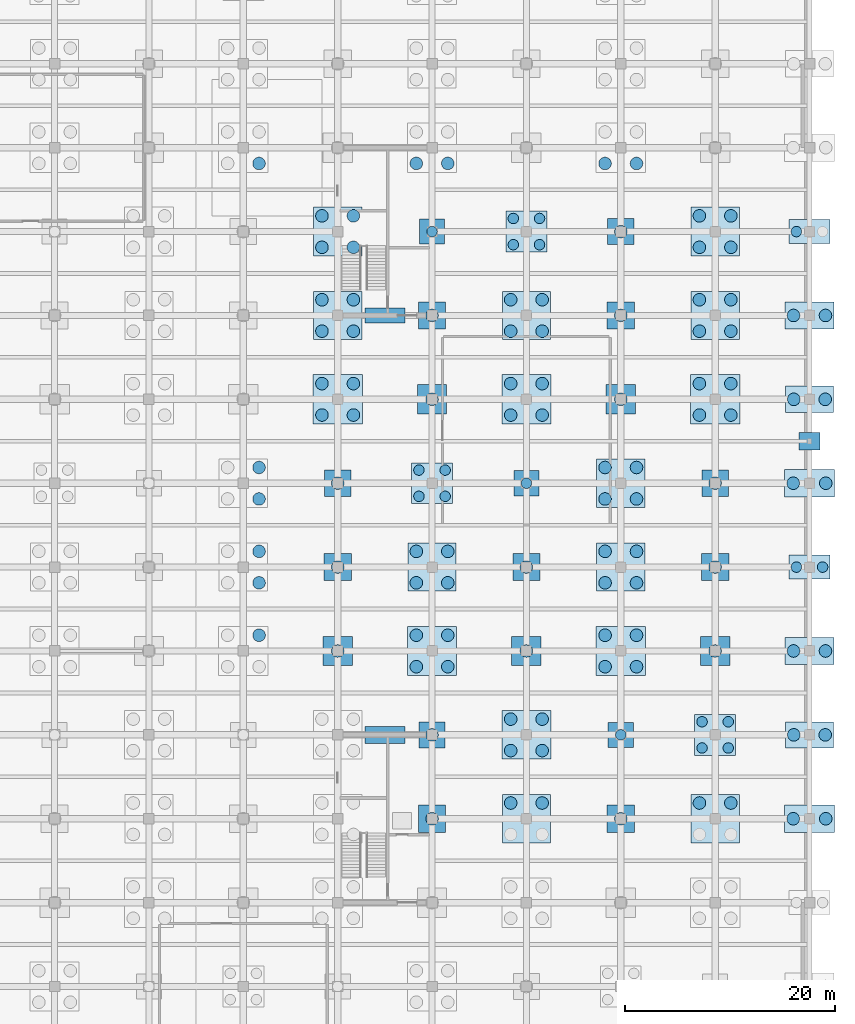
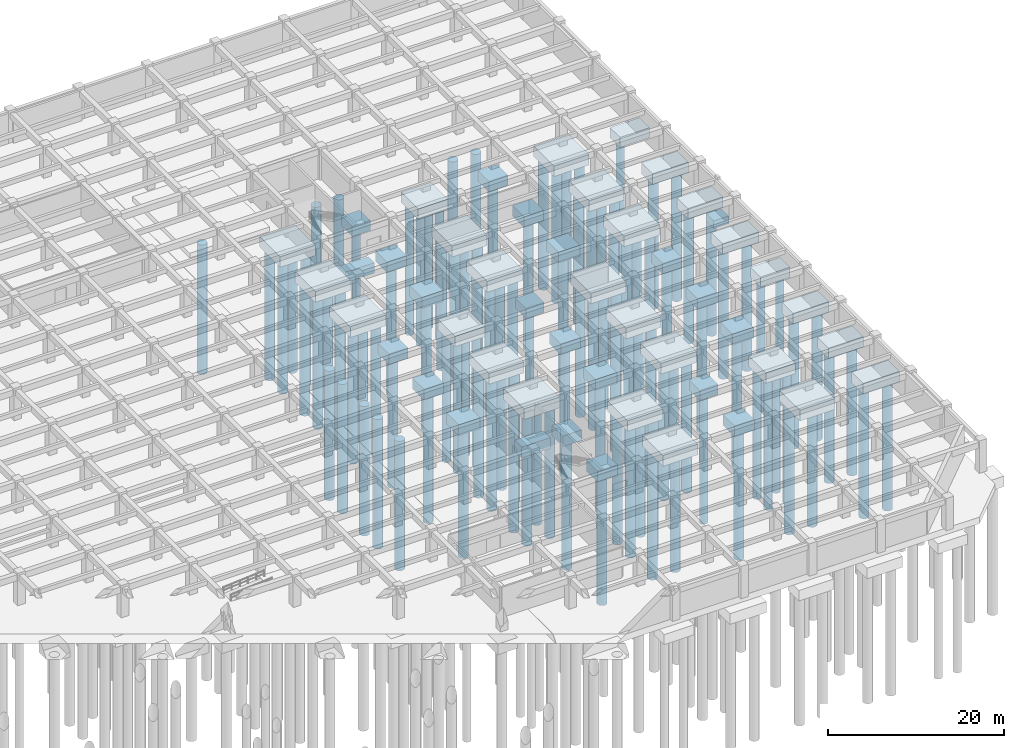
# One storey, part 7 of 31: 116 piles, 49 footings.
"""IFC4 building model written with IfcOpenShell, lengths in metres."""

from ifc_helpers import new_model, si_unit, direction, frame, origin, origin_2d, place, context, subcontext, project, spatial, polyline, rectangle, circle, outline, extrude, material, layer, layer_set, material_profile, profile_set, type_object, element, save


model = new_model("IFC4")

# Units and contexts
model_context = context("Model", 3, precision=1e-05, world=origin(), true_north=direction((0.0, 1.0)))
body_context = subcontext(model_context, "Body", "Model", "MODEL_VIEW")
ifc_project = project(units=[si_unit("LENGTHUNIT", "METRE"), si_unit("AREAUNIT", "SQUARE_METRE"), si_unit("VOLUMEUNIT", "CUBIC_METRE"), si_unit("PLANEANGLEUNIT", "RADIAN"), si_unit("MASSUNIT", "GRAM", prefix="KILO")], contexts=[model_context])

# Site, building, storey
site_placement = place(None, origin())
site = spatial("IfcSite", under=ifc_project, at=site_placement, CompositionType="ELEMENT")
building_placement = place(site_placement, origin())
building = spatial("IfcBuilding", under=site, at=building_placement, Name="Zaverband Oceanarium and Marine Research Institute", CompositionType="ELEMENT")
storey_placement = place(building_placement, frame((0.0, 0.0, -9.0)))
storey = spatial("IfcBuildingStorey", under=building, at=storey_placement, Name="B2", CompositionType="ELEMENT", Elevation=-9.0)

# Footings
ifc_material_1 = material(Name="Concrete C50/60", Category="concrete")
ifc_layer_1 = layer(ifc_material_1, 1.39990234375, Name="Concrete C50/60")
ifc_layer_set_1 = layer_set([ifc_layer_1], Name="Concrete C50/60")
footing_type_1 = type_object("IfcFootingType", Name="PC-2400x2400x1400", PredefinedType="PILE_CAP", material=ifc_layer_set_1)
for number, where, z_axis, x_axis, name in (
    (1, (144.0, 88.0, -2.300048828125), (0.0, 0.0, 1.0), (1.0, 0.0, 0.0), "Reinforced concrete pile cap PC-2400x2400x1400"),
    (2, (153.0, 64.0, -2.300048828125), (0.0, 0.0, 1.0), (1.0, 0.0, 0.0), "Reinforced concrete pile cap PC-2400x2400x1400"),
    (3, (162.0, 40.0, -2.300048828125), (0.0, 0.0, 1.0), (1.0, 0.0, 0.0), "Reinforced concrete pile cap PC-2400x2400x1400"),
):
    element("IfcFooting", number, at=place(storey_placement, frame(where, z_axis=z_axis, x_axis=x_axis)), inside=storey, type_object=footing_type_1, Name=name, PredefinedType="PILE_CAP", context=body_context, shape_type="SweptSolid", body=[
        extrude(rectangle(XDim=2.39990234375, YDim=2.39990234375, at=origin_2d()), origin(), (0.0, 0.0, 1.0), 1.39990234375),
    ])
ifc_layer_2 = layer(ifc_material_1, 1.449951171875, Name="Concrete C50/60")
ifc_layer_set_2 = layer_set([ifc_layer_2], Name="Concrete C50/60")
footing_type_2 = type_object("IfcFootingType", Name="PC-2500x2500x1450", PredefinedType="PILE_CAP", material=ifc_layer_set_2)
for number, where, z_axis, x_axis, name in (
    (4, (135.0, 64.0, -2.35009765625), (0.0, 0.0, 1.0), (1.0, 0.0, 0.0), "Reinforced concrete pile cap PC-2500x2500x1450"),
    (5, (144.0, 40.0, -2.35009765625), (0.0, 0.0, 1.0), (1.0, 0.0, 0.0), "Reinforced concrete pile cap PC-2500x2500x1450"),
    (6, (162.0, 88.0, -2.35009765625), (0.0, 0.0, 1.0), (1.0, 0.0, 0.0), "Reinforced concrete pile cap PC-2500x2500x1450"),
    (7, (171.0, 64.0, -2.35009765625), (0.0, 0.0, 1.0), (1.0, 0.0, 0.0), "Reinforced concrete pile cap PC-2500x2500x1450"),
):
    element("IfcFooting", number, at=place(storey_placement, frame(where, z_axis=z_axis, x_axis=x_axis)), inside=storey, type_object=footing_type_2, Name=name, PredefinedType="PILE_CAP", context=body_context, shape_type="SweptSolid", body=[
        extrude(rectangle(XDim=2.5, YDim=2.5, at=origin_2d()), origin(), (0.0, 0.0, 1.0), 1.449951171875),
    ])
ifc_layer_3 = layer(ifc_material_1, 1.5, Name="Concrete C50/60")
ifc_layer_set_3 = layer_set([ifc_layer_3], Name="Concrete C50/60")
footing_type_3 = type_object("IfcFootingType", Name="PC-2600x2600x1500", PredefinedType="PILE_CAP", material=ifc_layer_set_3)
for number, where, z_axis, x_axis, name in (
    (8, (135.0, 56.0, -2.39990234375), (0.0, 0.0, 1.0), (1.0, 0.0, 0.0), "Reinforced concrete pile cap PC-2600x2600x1500"),
    (9, (144.0, 32.0, -2.39990234375), (0.0, 0.0, 1.0), (1.0, 0.0, 0.0), "Reinforced concrete pile cap PC-2600x2600x1500"),
    (10, (144.0, 80.0, -2.39990234375), (0.0, 0.0, 1.0), (1.0, 0.0, 0.0), "Reinforced concrete pile cap PC-2600x2600x1500"),
    (11, (153.0, 56.0, -2.39990234375), (0.0, 0.0, 1.0), (1.0, 0.0, 0.0), "Reinforced concrete pile cap PC-2600x2600x1500"),
    (12, (162.0, 32.0, -2.39990234375), (0.0, 0.0, 1.0), (1.0, 0.0, 0.0), "Reinforced concrete pile cap PC-2600x2600x1500"),
    (13, (162.0, 80.0, -2.39990234375), (0.0, 0.0, 1.0), (1.0, 0.0, 0.0), "Reinforced concrete pile cap PC-2600x2600x1500"),
    (14, (171.0, 56.0, -2.39990234375), (0.0, 0.0, 1.0), (1.0, 0.0, 0.0), "Reinforced concrete pile cap PC-2600x2600x1500"),
):
    element("IfcFooting", number, at=place(storey_placement, frame(where, z_axis=z_axis, x_axis=x_axis)), inside=storey, type_object=footing_type_3, Name=name, PredefinedType="PILE_CAP", context=body_context, shape_type="SweptSolid", body=[
        extrude(rectangle(XDim=2.60009765625, YDim=2.60009765625, at=origin_2d()), origin(), (0.0, 0.0, 1.0), 1.5),
    ])
ifc_layer_4 = layer(ifc_material_1, 1.5, Name="Concrete C50/60")
ifc_layer_set_4 = layer_set([ifc_layer_4], Name="Concrete C50/60")
footing_type_4 = type_object("IfcFootingType", Name="PC-2800x2800x1500", PredefinedType="PILE_CAP", material=ifc_layer_set_4)
for number, where, z_axis, x_axis, name in (
    (15, (135.0, 48.0, -2.39990234375), (0.0, 0.0, 1.0), (1.0, 0.0, 0.0), "Reinforced concrete pile cap PC-2800x2800x1500"),
    (16, (144.0, 72.0, -2.39990234375), (0.0, 0.0, 1.0), (1.0, 0.0, 0.0), "Reinforced concrete pile cap PC-2800x2800x1500"),
    (17, (153.0, 48.0, -2.39990234375), (0.0, 0.0, 1.0), (1.0, 0.0, 0.0), "Reinforced concrete pile cap PC-2800x2800x1500"),
    (18, (162.0, 72.0, -2.39990234375), (0.0, 0.0, 1.0), (1.0, 0.0, 0.0), "Reinforced concrete pile cap PC-2800x2800x1500"),
    (19, (171.0, 48.0, -2.39990234375), (0.0, 0.0, 1.0), (1.0, 0.0, 0.0), "Reinforced concrete pile cap PC-2800x2800x1500"),
):
    element("IfcFooting", number, at=place(storey_placement, frame(where, z_axis=z_axis, x_axis=x_axis)), inside=storey, type_object=footing_type_4, Name=name, PredefinedType="PILE_CAP", context=body_context, shape_type="SweptSolid", body=[
        extrude(rectangle(XDim=2.800048828125, YDim=2.800048828125, at=origin_2d()), origin(), (0.0, 0.0, 1.0), 1.5),
    ])
ifc_layer_5 = layer(ifc_material_1, 1.39990234375, Name="Concrete C50/60")
ifc_layer_set_5 = layer_set([ifc_layer_5], Name="Concrete C50/60")
footing_type_5 = type_object("IfcFootingType", Name="PC-3900x2300x1400", PredefinedType="PILE_CAP", material=ifc_layer_set_5)
for number, where, z_axis, x_axis, name in (
    (20, (180.0, 56.0, -2.300048828125), (0.0, 0.0, 1.0), (1.0, 0.0, 0.0), "Reinforced concrete pile cap PC-3900x2300x1400"),
    (21, (180.0, 88.0, -2.300048828125), (0.0, 0.0, 1.0), (1.0, 0.0, 0.0), "Reinforced concrete pile cap PC-3900x2300x1400"),
):
    element("IfcFooting", number, at=place(storey_placement, frame(where, z_axis=z_axis, x_axis=x_axis)), inside=storey, type_object=footing_type_5, Name=name, PredefinedType="PILE_CAP", context=body_context, shape_type="SweptSolid", body=[
        extrude(rectangle(XDim=3.89990234375, YDim=2.300048828125, at=origin_2d()), origin(), (0.0, 0.0, 1.0), 1.39990234375),
    ])
ifc_layer_6 = layer(ifc_material_1, 1.449951171875, Name="Concrete C50/60")
ifc_layer_set_6 = layer_set([ifc_layer_6], Name="Concrete C50/60")
footing_type_6 = type_object("IfcFootingType", Name="PC-3900x3900x1450", PredefinedType="PILE_CAP", material=ifc_layer_set_6)
for number, where, z_axis, x_axis, name in (
    (22, (144.0, 64.0, -2.35009765625), (0.0, 0.0, 1.0), (1.0, 0.0, 0.0), "Reinforced concrete pile cap PC-3900x3900x1450"),
    (23, (153.0, 88.0, -2.35009765625), (0.0, 0.0, 1.0), (1.0, 0.0, 0.0), "Reinforced concrete pile cap PC-3900x3900x1450"),
    (24, (171.0, 40.0, -2.35009765625), (0.0, 0.0, 1.0), (1.0, 0.0, 0.0), "Reinforced concrete pile cap PC-3900x3900x1450"),
):
    element("IfcFooting", number, at=place(storey_placement, frame(where, z_axis=z_axis, x_axis=x_axis)), inside=storey, type_object=footing_type_6, Name=name, PredefinedType="PILE_CAP", context=body_context, shape_type="SweptSolid", body=[
        extrude(rectangle(XDim=3.89990234375, YDim=3.89990234375, at=origin_2d()), origin(), (0.0, 0.0, 1.0), 1.449951171875),
    ])
ifc_layer_7 = layer(ifc_material_1, 1.449951171875, Name="Concrete C50/60")
ifc_layer_set_7 = layer_set([ifc_layer_7], Name="Concrete C50/60")
footing_type_7 = type_object("IfcFootingType", Name="PC-4600x2500x1450", PredefinedType="PILE_CAP", material=ifc_layer_set_7)
for number, where, z_axis, x_axis, name in (
    (25, (180.0, 40.0, -2.35009765625), (0.0, 0.0, 1.0), (1.0, 0.0, 0.0), "Reinforced concrete pile cap PC-4600x2500x1450"),
    (26, (180.0, 72.0, -2.35009765625), (0.0, 0.0, 1.0), (1.0, 0.0, 0.0), "Reinforced concrete pile cap PC-4600x2500x1450"),
):
    element("IfcFooting", number, at=place(storey_placement, frame(where, z_axis=z_axis, x_axis=x_axis)), inside=storey, type_object=footing_type_7, Name=name, PredefinedType="PILE_CAP", context=body_context, shape_type="SweptSolid", body=[
        extrude(rectangle(XDim=4.60009765625, YDim=2.5, at=origin_2d()), origin(), (0.0, 0.0, 1.0), 1.449951171875),
    ])
ifc_layer_8 = layer(ifc_material_1, 1.5, Name="Concrete C50/60")
ifc_layer_set_8 = layer_set([ifc_layer_8], Name="Concrete C50/60")
footing_type_8 = type_object("IfcFootingType", Name="PC-4600x4600x1500", PredefinedType="PILE_CAP", material=ifc_layer_set_8)
for number, where, z_axis, x_axis, name in (
    (27, (135.0, 80.0, -2.39990234375), (0.0, 0.0, 1.0), (1.0, 0.0, 0.0), "Reinforced concrete pile cap PC-4600x4600x1500"),
    (28, (144.0, 56.0, -2.39990234375), (0.0, 0.0, 1.0), (1.0, 0.0, 0.0), "Reinforced concrete pile cap PC-4600x4600x1500"),
    (29, (153.0, 32.0, -2.39990234375), (0.0, 0.0, 1.0), (1.0, 0.0, 0.0), "Reinforced concrete pile cap PC-4600x4600x1500"),
    (30, (153.0, 80.0, -2.39990234375), (0.0, 0.0, 1.0), (1.0, 0.0, 0.0), "Reinforced concrete pile cap PC-4600x4600x1500"),
    (31, (162.0, 56.0, -2.39990234375), (0.0, 0.0, 1.0), (1.0, 0.0, 0.0), "Reinforced concrete pile cap PC-4600x4600x1500"),
    (32, (171.0, 32.0, -2.39990234375), (0.0, 0.0, 1.0), (1.0, 0.0, 0.0), "Reinforced concrete pile cap PC-4600x4600x1500"),
    (33, (171.0, 80.0, -2.39990234375), (0.0, 0.0, 1.0), (1.0, 0.0, 0.0), "Reinforced concrete pile cap PC-4600x4600x1500"),
):
    element("IfcFooting", number, at=place(storey_placement, frame(where, z_axis=z_axis, x_axis=x_axis)), inside=storey, type_object=footing_type_8, Name=name, PredefinedType="PILE_CAP", context=body_context, shape_type="SweptSolid", body=[
        extrude(rectangle(XDim=4.60009765625, YDim=4.60009765625, at=origin_2d()), origin(), (0.0, 0.0, 1.0), 1.5),
    ])
ifc_layer_9 = layer(ifc_material_1, 1.449951171875, Name="Concrete C50/60")
ifc_layer_set_9 = layer_set([ifc_layer_9], Name="Concrete C50/60")
footing_type_9 = type_object("IfcFootingType", Name="PC-4650x4650x1450", PredefinedType="PILE_CAP", material=ifc_layer_set_9)
for number, where, z_axis, x_axis, name in (
    (34, (135.0, 88.0, -2.35009765625), (0.0, 0.0, 1.0), (1.0, 0.0, 0.0), "Reinforced concrete pile cap PC-4650x4650x1450"),
    (35, (153.0, 40.0, -2.35009765625), (0.0, 0.0, 1.0), (1.0, 0.0, 0.0), "Reinforced concrete pile cap PC-4650x4650x1450"),
    (36, (162.0, 64.0, -2.35009765625), (0.0, 0.0, 1.0), (1.0, 0.0, 0.0), "Reinforced concrete pile cap PC-4650x4650x1450"),
    (37, (171.0, 88.0, -2.35009765625), (0.0, 0.0, 1.0), (1.0, 0.0, 0.0), "Reinforced concrete pile cap PC-4650x4650x1450"),
):
    element("IfcFooting", number, at=place(storey_placement, frame(where, z_axis=z_axis, x_axis=x_axis)), inside=storey, type_object=footing_type_9, Name=name, PredefinedType="PILE_CAP", context=body_context, shape_type="SweptSolid", body=[
        extrude(rectangle(XDim=4.64990234375, YDim=4.64990234375, at=origin_2d()), origin(), (0.0, 0.0, 1.0), 1.449951171875),
    ])
ifc_layer_10 = layer(ifc_material_1, 1.5, Name="Concrete C50/60")
ifc_layer_set_10 = layer_set([ifc_layer_10], Name="Concrete C50/60")
footing_type_10 = type_object("IfcFootingType", Name="PC-4700x2550x1500", PredefinedType="PILE_CAP", material=ifc_layer_set_10)
for number, where, z_axis, x_axis, name in (
    (38, (180.0, 48.0, -2.39990234375), (0.0, 0.0, 1.0), (1.0, 0.0, 0.0), "Reinforced concrete pile cap PC-4700x2550x1500"),
    (39, (180.0, 80.0, -2.39990234375), (0.0, 0.0, 1.0), (1.0, 0.0, 0.0), "Reinforced concrete pile cap PC-4700x2550x1500"),
):
    element("IfcFooting", number, at=place(storey_placement, frame(where, z_axis=z_axis, x_axis=x_axis)), inside=storey, type_object=footing_type_10, Name=name, PredefinedType="PILE_CAP", context=body_context, shape_type="SweptSolid", body=[
        extrude(rectangle(XDim=4.699951171875, YDim=2.550048828125, at=origin_2d()), origin(), (0.0, 0.0, 1.0), 1.5),
    ])
ifc_layer_11 = layer(ifc_material_1, 1.5, Name="Concrete C50/60")
ifc_layer_set_11 = layer_set([ifc_layer_11], Name="Concrete C50/60")
footing_type_11 = type_object("IfcFootingType", Name="PC-4700x4700x1500", PredefinedType="PILE_CAP", material=ifc_layer_set_11)
for number, where, z_axis, x_axis, name in (
    (40, (135.0, 72.0, -2.39990234375), (0.0, 0.0, 1.0), (1.0, 0.0, 0.0), "Reinforced concrete pile cap PC-4700x4700x1500"),
    (41, (144.0, 48.0, -2.39990234375), (0.0, 0.0, 1.0), (1.0, 0.0, 0.0), "Reinforced concrete pile cap PC-4700x4700x1500"),
    (42, (153.0, 72.0, -2.39990234375), (0.0, 0.0, 1.0), (1.0, 0.0, 0.0), "Reinforced concrete pile cap PC-4700x4700x1500"),
    (43, (162.0, 48.0, -2.39990234375), (0.0, 0.0, 1.0), (1.0, 0.0, 0.0), "Reinforced concrete pile cap PC-4700x4700x1500"),
    (44, (171.0, 72.0, -2.39990234375), (0.0, 0.0, 1.0), (1.0, 0.0, 0.0), "Reinforced concrete pile cap PC-4700x4700x1500"),
):
    element("IfcFooting", number, at=place(storey_placement, frame(where, z_axis=z_axis, x_axis=x_axis)), inside=storey, type_object=footing_type_11, Name=name, PredefinedType="PILE_CAP", context=body_context, shape_type="SweptSolid", body=[
        extrude(rectangle(XDim=4.699951171875, YDim=4.699951171875, at=origin_2d()), origin(), (0.0, 0.0, 1.0), 1.5),
    ])
ifc_layer_12 = layer(ifc_material_1, 1.5, Name="Concrete C50/60")
ifc_layer_set_12 = layer_set([ifc_layer_12], Name="Concrete C50/60")
footing_type_12 = type_object("IfcFootingType", Name="PC-4800x2600x1500", PredefinedType="PILE_CAP", material=ifc_layer_set_12)
for number, where, z_axis, x_axis, name in (
    (45, (180.0, 32.0, -2.39990234375), (0.0, 0.0, 1.0), (1.0, 0.0, 0.0), "Reinforced concrete pile cap PC-4800x2600x1500"),
    (46, (180.0, 64.0, -2.39990234375), (0.0, 0.0, 1.0), (1.0, 0.0, 0.0), "Reinforced concrete pile cap PC-4800x2600x1500"),
):
    element("IfcFooting", number, at=place(storey_placement, frame(where, z_axis=z_axis, x_axis=x_axis)), inside=storey, type_object=footing_type_12, Name=name, PredefinedType="PILE_CAP", context=body_context, shape_type="SweptSolid", body=[
        extrude(rectangle(XDim=4.800048828125, YDim=2.60009765625, at=origin_2d()), origin(), (0.0, 0.0, 1.0), 1.5),
    ])
ifc_material_2 = material(Name="Concrete C40/50", Category="concrete")
ifc_layer_13 = layer(ifc_material_2, 1.050048828125, Name="Concrete C40/50")
ifc_layer_set_13 = layer_set([ifc_layer_13], Name="Concrete C40/50")
footing_type_13 = type_object("IfcFootingType", Name="PF-2000x1700x1050", PredefinedType="PAD_FOOTING", material=ifc_layer_set_13)
footing_1_placement = place(storey_placement, frame((180.0, 68.0, -1.9501953125), z_axis=(0.0, 0.0, 1.0), x_axis=(1.0, 0.0, 0.0)))
element("IfcFooting", 47, at=footing_1_placement, inside=storey, type_object=footing_type_13, Name="Isolated pad footing PF-2000x1700x1050", PredefinedType="PAD_FOOTING", context=body_context, shape_type="SweptSolid", body=[
    extrude(rectangle(XDim=2.0, YDim=1.699951171875, at=origin_2d()), origin(), (0.0, 0.0, 1.0), 1.050048828125),
])

# Piles
ifc_material_profile_1 = material_profile(ifc_material_1, circle(Radius=0.5, at=origin_2d()), Name="BP1000")
ifc_profile_set_1 = profile_set([ifc_material_profile_1], Name="Concrete C50/60")
pile_type_1 = type_object("IfcPileType", Name="PL-BP1000", PredefinedType="BORED", material=ifc_profile_set_1)
for number, where, z_axis, x_axis, name in (
    (48, (142.75, 62.75, -2.35009765625), (0.0, 0.0, -1.0), (1.0, 0.0, 0.0), "Rotary bored cast-in-place pile PL-BP1000"),
    (49, (145.25, 62.75, -2.35009765625), (0.0, 0.0, -1.0), (1.0, 0.0, 0.0), "Rotary bored cast-in-place pile PL-BP1000"),
    (50, (142.75, 65.25, -2.35009765625), (0.0, 0.0, -1.0), (1.0, 0.0, 0.0), "Rotary bored cast-in-place pile PL-BP1000"),
    (51, (145.25, 65.25, -2.35009765625), (0.0, 0.0, -1.0), (1.0, 0.0, 0.0), "Rotary bored cast-in-place pile PL-BP1000"),
    (52, (144.0, 88.0, -2.300048828125), (0.0, 0.0, -1.0), (1.0, 0.0, 0.0), "Rotary bored cast-in-place pile PL-BP1000"),
    (53, (153.0, 64.0, -2.300048828125), (0.0, 0.0, -1.0), (1.0, 0.0, 0.0), "Rotary bored cast-in-place pile PL-BP1000"),
    (54, (151.75, 86.75, -2.35009765625), (0.0, 0.0, -1.0), (1.0, 0.0, 0.0), "Rotary bored cast-in-place pile PL-BP1000"),
    (55, (154.25, 86.75, -2.35009765625), (0.0, 0.0, -1.0), (1.0, 0.0, 0.0), "Rotary bored cast-in-place pile PL-BP1000"),
    (56, (151.75, 89.25, -2.35009765625), (0.0, 0.0, -1.0), (1.0, 0.0, 0.0), "Rotary bored cast-in-place pile PL-BP1000"),
    (57, (154.25, 89.25, -2.35009765625), (0.0, 0.0, -1.0), (1.0, 0.0, 0.0), "Rotary bored cast-in-place pile PL-BP1000"),
    (58, (162.0, 40.0, -2.300048828125), (0.0, 0.0, -1.0), (1.0, 0.0, 0.0), "Rotary bored cast-in-place pile PL-BP1000"),
    (59, (169.75, 38.75, -2.35009765625), (0.0, 0.0, -1.0), (1.0, 0.0, 0.0), "Rotary bored cast-in-place pile PL-BP1000"),
    (60, (172.25, 38.75, -2.35009765625), (0.0, 0.0, -1.0), (1.0, 0.0, 0.0), "Rotary bored cast-in-place pile PL-BP1000"),
    (61, (169.75, 41.25, -2.35009765625), (0.0, 0.0, -1.0), (1.0, 0.0, 0.0), "Rotary bored cast-in-place pile PL-BP1000"),
    (62, (172.25, 41.25, -2.35009765625), (0.0, 0.0, -1.0), (1.0, 0.0, 0.0), "Rotary bored cast-in-place pile PL-BP1000"),
    (63, (178.75, 56.0, -2.300048828125), (0.0, 0.0, -1.0), (1.0, 0.0, 0.0), "Rotary bored cast-in-place pile PL-BP1000"),
    (64, (181.25, 56.0, -2.300048828125), (0.0, 0.0, -1.0), (1.0, 0.0, 0.0), "Rotary bored cast-in-place pile PL-BP1000"),
    (65, (178.75, 88.0, -2.300048828125), (0.0, 0.0, -1.0), (1.0, 0.0, 0.0), "Rotary bored cast-in-place pile PL-BP1000"),
):
    element("IfcPile", number, at=place(storey_placement, frame(where, z_axis=z_axis, x_axis=x_axis)), inside=storey, type_object=pile_type_1, Name=name, PredefinedType="BORED", context=body_context, shape_type="SweptSolid", body=[
        extrude(circle(Radius=0.5, at=origin_2d()), origin(), (0.0, 0.0, 1.0), 18.0),
    ])
ifc_material_profile_2 = material_profile(ifc_material_1, circle(Radius=0.60009765625, at=origin_2d()), Name="BP1200")
ifc_profile_set_2 = profile_set([ifc_material_profile_2], Name="Concrete C50/60")
pile_type_2 = type_object("IfcPileType", Name="PL-BP1200", PredefinedType="BORED", material=ifc_profile_set_2)
for number, where, z_axis, x_axis, name in (
    (66, (127.5, 49.5, -2.39990234375), (0.0, 0.0, -1.0), (1.0, 0.0, 0.0), "Rotary bored cast-in-place pile PL-BP1200"),
    (67, (127.5, 54.5, -2.39990234375), (0.0, 0.0, -1.0), (1.0, 0.0, 0.0), "Rotary bored cast-in-place pile PL-BP1200"),
    (68, (127.5, 57.5, -2.39990234375), (0.0, 0.0, -1.0), (1.0, 0.0, 0.0), "Rotary bored cast-in-place pile PL-BP1200"),
    (69, (127.5, 62.5, -2.35009765625), (0.0, 0.0, -1.0), (1.0, 0.0, 0.0), "Rotary bored cast-in-place pile PL-BP1200"),
    (70, (127.5, 65.5, -2.35009765625), (0.0, 0.0, -1.0), (1.0, 0.0, 0.0), "Rotary bored cast-in-place pile PL-BP1200"),
    (71, (127.5, 94.5, -2.39990234375), (0.0, 0.0, -1.0), (1.0, 0.0, 0.0), "Rotary bored cast-in-place pile PL-BP1200"),
    (72, (135.0, 48.0, -2.39990234375), (0.0, 0.0, -1.0), (1.0, 0.0, 0.0), "Rotary bored cast-in-place pile PL-BP1200"),
    (73, (135.0, 56.0, -2.39990234375), (0.0, 0.0, -1.0), (1.0, 0.0, 0.0), "Rotary bored cast-in-place pile PL-BP1200"),
    (74, (135.0, 64.0, -2.35009765625), (0.0, 0.0, -1.0), (1.0, 0.0, 0.0), "Rotary bored cast-in-place pile PL-BP1200"),
    (75, (133.5, 70.5, -2.39990234375), (0.0, 0.0, -1.0), (1.0, 0.0, 0.0), "Rotary bored cast-in-place pile PL-BP1200"),
    (76, (136.5, 70.5, -2.39990234375), (0.0, 0.0, -1.0), (1.0, 0.0, 0.0), "Rotary bored cast-in-place pile PL-BP1200"),
    (77, (133.5, 73.5, -2.39990234375), (0.0, 0.0, -1.0), (1.0, 0.0, 0.0), "Rotary bored cast-in-place pile PL-BP1200"),
    (78, (136.5, 73.5, -2.39990234375), (0.0, 0.0, -1.0), (1.0, 0.0, 0.0), "Rotary bored cast-in-place pile PL-BP1200"),
    (79, (133.5, 78.5, -2.39990234375), (0.0, 0.0, -1.0), (1.0, 0.0, 0.0), "Rotary bored cast-in-place pile PL-BP1200"),
    (80, (136.5, 78.5, -2.39990234375), (0.0, 0.0, -1.0), (1.0, 0.0, 0.0), "Rotary bored cast-in-place pile PL-BP1200"),
    (81, (133.5, 81.5, -2.39990234375), (0.0, 0.0, -1.0), (1.0, 0.0, 0.0), "Rotary bored cast-in-place pile PL-BP1200"),
    (82, (136.5, 81.5, -2.39990234375), (0.0, 0.0, -1.0), (1.0, 0.0, 0.0), "Rotary bored cast-in-place pile PL-BP1200"),
    (83, (133.5, 86.5, -2.35009765625), (0.0, 0.0, -1.0), (1.0, 0.0, 0.0), "Rotary bored cast-in-place pile PL-BP1200"),
    (84, (136.5, 86.5, -2.35009765625), (0.0, 0.0, -1.0), (1.0, 0.0, 0.0), "Rotary bored cast-in-place pile PL-BP1200"),
    (85, (133.5, 89.5, -2.35009765625), (0.0, 0.0, -1.0), (1.0, 0.0, 0.0), "Rotary bored cast-in-place pile PL-BP1200"),
    (86, (136.5, 89.5, -2.35009765625), (0.0, 0.0, -1.0), (1.0, 0.0, 0.0), "Rotary bored cast-in-place pile PL-BP1200"),
    (87, (144.0, 32.0, -2.39990234375), (0.0, 0.0, -1.0), (1.0, 0.0, 0.0), "Rotary bored cast-in-place pile PL-BP1200"),
    (88, (144.0, 40.0, -2.35009765625), (0.0, 0.0, -1.0), (1.0, 0.0, 0.0), "Rotary bored cast-in-place pile PL-BP1200"),
    (89, (142.5, 46.5, -2.39990234375), (0.0, 0.0, -1.0), (1.0, 0.0, 0.0), "Rotary bored cast-in-place pile PL-BP1200"),
    (90, (145.5, 46.5, -2.39990234375), (0.0, 0.0, -1.0), (1.0, 0.0, 0.0), "Rotary bored cast-in-place pile PL-BP1200"),
    (91, (142.5, 49.5, -2.39990234375), (0.0, 0.0, -1.0), (1.0, 0.0, 0.0), "Rotary bored cast-in-place pile PL-BP1200"),
    (92, (145.5, 49.5, -2.39990234375), (0.0, 0.0, -1.0), (1.0, 0.0, 0.0), "Rotary bored cast-in-place pile PL-BP1200"),
    (93, (142.5, 54.5, -2.39990234375), (0.0, 0.0, -1.0), (1.0, 0.0, 0.0), "Rotary bored cast-in-place pile PL-BP1200"),
    (94, (145.5, 54.5, -2.39990234375), (0.0, 0.0, -1.0), (1.0, 0.0, 0.0), "Rotary bored cast-in-place pile PL-BP1200"),
    (95, (142.5, 57.5, -2.39990234375), (0.0, 0.0, -1.0), (1.0, 0.0, 0.0), "Rotary bored cast-in-place pile PL-BP1200"),
    (96, (145.5, 57.5, -2.39990234375), (0.0, 0.0, -1.0), (1.0, 0.0, 0.0), "Rotary bored cast-in-place pile PL-BP1200"),
    (97, (144.0, 72.0, -2.39990234375), (0.0, 0.0, -1.0), (1.0, 0.0, 0.0), "Rotary bored cast-in-place pile PL-BP1200"),
    (98, (144.0, 80.0, -2.39990234375), (0.0, 0.0, -1.0), (1.0, 0.0, 0.0), "Rotary bored cast-in-place pile PL-BP1200"),
    (99, (142.5, 94.5, -2.39990234375), (0.0, 0.0, -1.0), (1.0, 0.0, 0.0), "Rotary bored cast-in-place pile PL-BP1200"),
    (100, (145.5, 94.5, -2.39990234375), (0.0, 0.0, -1.0), (1.0, 0.0, 0.0), "Rotary bored cast-in-place pile PL-BP1200"),
    (101, (151.5, 33.5, -2.39990234375), (0.0, 0.0, -1.0), (1.0, 0.0, 0.0), "Rotary bored cast-in-place pile PL-BP1200"),
    (102, (154.5, 33.5, -2.39990234375), (0.0, 0.0, -1.0), (1.0, 0.0, 0.0), "Rotary bored cast-in-place pile PL-BP1200"),
    (103, (151.5, 38.5, -2.35009765625), (0.0, 0.0, -1.0), (1.0, 0.0, 0.0), "Rotary bored cast-in-place pile PL-BP1200"),
    (104, (154.5, 38.5, -2.35009765625), (0.0, 0.0, -1.0), (1.0, 0.0, 0.0), "Rotary bored cast-in-place pile PL-BP1200"),
    (105, (151.5, 41.5, -2.35009765625), (0.0, 0.0, -1.0), (1.0, 0.0, 0.0), "Rotary bored cast-in-place pile PL-BP1200"),
    (106, (154.5, 41.5, -2.35009765625), (0.0, 0.0, -1.0), (1.0, 0.0, 0.0), "Rotary bored cast-in-place pile PL-BP1200"),
    (107, (153.0, 48.0, -2.39990234375), (0.0, 0.0, -1.0), (1.0, 0.0, 0.0), "Rotary bored cast-in-place pile PL-BP1200"),
    (108, (153.0, 56.0, -2.39990234375), (0.0, 0.0, -1.0), (1.0, 0.0, 0.0), "Rotary bored cast-in-place pile PL-BP1200"),
    (109, (151.5, 70.5, -2.39990234375), (0.0, 0.0, -1.0), (1.0, 0.0, 0.0), "Rotary bored cast-in-place pile PL-BP1200"),
    (110, (154.5, 70.5, -2.39990234375), (0.0, 0.0, -1.0), (1.0, 0.0, 0.0), "Rotary bored cast-in-place pile PL-BP1200"),
    (111, (151.5, 73.5, -2.39990234375), (0.0, 0.0, -1.0), (1.0, 0.0, 0.0), "Rotary bored cast-in-place pile PL-BP1200"),
    (112, (154.5, 73.5, -2.39990234375), (0.0, 0.0, -1.0), (1.0, 0.0, 0.0), "Rotary bored cast-in-place pile PL-BP1200"),
    (113, (151.5, 78.5, -2.39990234375), (0.0, 0.0, -1.0), (1.0, 0.0, 0.0), "Rotary bored cast-in-place pile PL-BP1200"),
    (114, (154.5, 78.5, -2.39990234375), (0.0, 0.0, -1.0), (1.0, 0.0, 0.0), "Rotary bored cast-in-place pile PL-BP1200"),
    (115, (151.5, 81.5, -2.39990234375), (0.0, 0.0, -1.0), (1.0, 0.0, 0.0), "Rotary bored cast-in-place pile PL-BP1200"),
    (116, (154.5, 81.5, -2.39990234375), (0.0, 0.0, -1.0), (1.0, 0.0, 0.0), "Rotary bored cast-in-place pile PL-BP1200"),
    (117, (162.0, 32.0, -2.39990234375), (0.0, 0.0, -1.0), (1.0, 0.0, 0.0), "Rotary bored cast-in-place pile PL-BP1200"),
    (118, (160.5, 46.5, -2.39990234375), (0.0, 0.0, -1.0), (1.0, 0.0, 0.0), "Rotary bored cast-in-place pile PL-BP1200"),
    (119, (163.5, 46.5, -2.39990234375), (0.0, 0.0, -1.0), (1.0, 0.0, 0.0), "Rotary bored cast-in-place pile PL-BP1200"),
    (120, (160.5, 49.5, -2.39990234375), (0.0, 0.0, -1.0), (1.0, 0.0, 0.0), "Rotary bored cast-in-place pile PL-BP1200"),
    (121, (163.5, 49.5, -2.39990234375), (0.0, 0.0, -1.0), (1.0, 0.0, 0.0), "Rotary bored cast-in-place pile PL-BP1200"),
    (122, (160.5, 54.5, -2.39990234375), (0.0, 0.0, -1.0), (1.0, 0.0, 0.0), "Rotary bored cast-in-place pile PL-BP1200"),
    (123, (163.5, 54.5, -2.39990234375), (0.0, 0.0, -1.0), (1.0, 0.0, 0.0), "Rotary bored cast-in-place pile PL-BP1200"),
    (124, (160.5, 57.5, -2.39990234375), (0.0, 0.0, -1.0), (1.0, 0.0, 0.0), "Rotary bored cast-in-place pile PL-BP1200"),
    (125, (163.5, 57.5, -2.39990234375), (0.0, 0.0, -1.0), (1.0, 0.0, 0.0), "Rotary bored cast-in-place pile PL-BP1200"),
    (126, (160.5, 62.5, -2.35009765625), (0.0, 0.0, -1.0), (1.0, 0.0, 0.0), "Rotary bored cast-in-place pile PL-BP1200"),
    (127, (163.5, 62.5, -2.35009765625), (0.0, 0.0, -1.0), (1.0, 0.0, 0.0), "Rotary bored cast-in-place pile PL-BP1200"),
    (128, (160.5, 65.5, -2.35009765625), (0.0, 0.0, -1.0), (1.0, 0.0, 0.0), "Rotary bored cast-in-place pile PL-BP1200"),
    (129, (163.5, 65.5, -2.35009765625), (0.0, 0.0, -1.0), (1.0, 0.0, 0.0), "Rotary bored cast-in-place pile PL-BP1200"),
    (130, (162.0, 72.0, -2.39990234375), (0.0, 0.0, -1.0), (1.0, 0.0, 0.0), "Rotary bored cast-in-place pile PL-BP1200"),
    (131, (162.0, 80.0, -2.39990234375), (0.0, 0.0, -1.0), (1.0, 0.0, 0.0), "Rotary bored cast-in-place pile PL-BP1200"),
    (132, (162.0, 88.0, -2.35009765625), (0.0, 0.0, -1.0), (1.0, 0.0, 0.0), "Rotary bored cast-in-place pile PL-BP1200"),
    (133, (160.5, 94.5, -2.39990234375), (0.0, 0.0, -1.0), (1.0, 0.0, 0.0), "Rotary bored cast-in-place pile PL-BP1200"),
    (134, (163.5, 94.5, -2.39990234375), (0.0, 0.0, -1.0), (1.0, 0.0, 0.0), "Rotary bored cast-in-place pile PL-BP1200"),
    (135, (169.5, 33.5, -2.39990234375), (0.0, 0.0, -1.0), (1.0, 0.0, 0.0), "Rotary bored cast-in-place pile PL-BP1200"),
    (136, (172.5, 33.5, -2.39990234375), (0.0, 0.0, -1.0), (1.0, 0.0, 0.0), "Rotary bored cast-in-place pile PL-BP1200"),
    (137, (171.0, 48.0, -2.39990234375), (0.0, 0.0, -1.0), (1.0, 0.0, 0.0), "Rotary bored cast-in-place pile PL-BP1200"),
    (138, (171.0, 56.0, -2.39990234375), (0.0, 0.0, -1.0), (1.0, 0.0, 0.0), "Rotary bored cast-in-place pile PL-BP1200"),
    (139, (171.0, 64.0, -2.35009765625), (0.0, 0.0, -1.0), (1.0, 0.0, 0.0), "Rotary bored cast-in-place pile PL-BP1200"),
    (140, (169.5, 70.5, -2.39990234375), (0.0, 0.0, -1.0), (1.0, 0.0, 0.0), "Rotary bored cast-in-place pile PL-BP1200"),
    (141, (172.5, 70.5, -2.39990234375), (0.0, 0.0, -1.0), (1.0, 0.0, 0.0), "Rotary bored cast-in-place pile PL-BP1200"),
    (142, (169.5, 73.5, -2.39990234375), (0.0, 0.0, -1.0), (1.0, 0.0, 0.0), "Rotary bored cast-in-place pile PL-BP1200"),
    (143, (172.5, 73.5, -2.39990234375), (0.0, 0.0, -1.0), (1.0, 0.0, 0.0), "Rotary bored cast-in-place pile PL-BP1200"),
    (144, (169.5, 78.5, -2.39990234375), (0.0, 0.0, -1.0), (1.0, 0.0, 0.0), "Rotary bored cast-in-place pile PL-BP1200"),
    (145, (172.5, 78.5, -2.39990234375), (0.0, 0.0, -1.0), (1.0, 0.0, 0.0), "Rotary bored cast-in-place pile PL-BP1200"),
    (146, (169.5, 81.5, -2.39990234375), (0.0, 0.0, -1.0), (1.0, 0.0, 0.0), "Rotary bored cast-in-place pile PL-BP1200"),
    (147, (172.5, 81.5, -2.39990234375), (0.0, 0.0, -1.0), (1.0, 0.0, 0.0), "Rotary bored cast-in-place pile PL-BP1200"),
    (148, (169.5, 86.5, -2.35009765625), (0.0, 0.0, -1.0), (1.0, 0.0, 0.0), "Rotary bored cast-in-place pile PL-BP1200"),
    (149, (172.5, 86.5, -2.35009765625), (0.0, 0.0, -1.0), (1.0, 0.0, 0.0), "Rotary bored cast-in-place pile PL-BP1200"),
    (150, (169.5, 89.5, -2.35009765625), (0.0, 0.0, -1.0), (1.0, 0.0, 0.0), "Rotary bored cast-in-place pile PL-BP1200"),
    (151, (172.5, 89.5, -2.35009765625), (0.0, 0.0, -1.0), (1.0, 0.0, 0.0), "Rotary bored cast-in-place pile PL-BP1200"),
    (152, (178.449951171875, 32.0, -2.39990234375), (0.0, 0.0, -1.0), (1.0, 0.0, 0.0), "Rotary bored cast-in-place pile PL-BP1200"),
    (153, (181.550048828125, 32.0, -2.39990234375), (0.0, 0.0, -1.0), (1.0, 0.0, 0.0), "Rotary bored cast-in-place pile PL-BP1200"),
    (154, (178.5, 40.0, -2.35009765625), (0.0, 0.0, -1.0), (1.0, 0.0, 0.0), "Rotary bored cast-in-place pile PL-BP1200"),
    (155, (181.5, 40.0, -2.35009765625), (0.0, 0.0, -1.0), (1.0, 0.0, 0.0), "Rotary bored cast-in-place pile PL-BP1200"),
    (156, (178.47509765625, 48.0, -2.39990234375), (0.0, 0.0, -1.0), (1.0, 0.0, 0.0), "Rotary bored cast-in-place pile PL-BP1200"),
    (157, (181.52490234375, 48.0, -2.39990234375), (0.0, 0.0, -1.0), (1.0, 0.0, 0.0), "Rotary bored cast-in-place pile PL-BP1200"),
    (158, (178.449951171875, 64.0, -2.39990234375), (0.0, 0.0, -1.0), (1.0, 0.0, 0.0), "Rotary bored cast-in-place pile PL-BP1200"),
    (159, (181.550048828125, 64.0, -2.39990234375), (0.0, 0.0, -1.0), (1.0, 0.0, 0.0), "Rotary bored cast-in-place pile PL-BP1200"),
    (160, (178.5, 72.0, -2.35009765625), (0.0, 0.0, -1.0), (1.0, 0.0, 0.0), "Rotary bored cast-in-place pile PL-BP1200"),
    (161, (181.5, 72.0, -2.35009765625), (0.0, 0.0, -1.0), (1.0, 0.0, 0.0), "Rotary bored cast-in-place pile PL-BP1200"),
    (162, (178.47509765625, 80.0, -2.39990234375), (0.0, 0.0, -1.0), (1.0, 0.0, 0.0), "Rotary bored cast-in-place pile PL-BP1200"),
    (163, (181.52490234375, 80.0, -2.39990234375), (0.0, 0.0, -1.0), (1.0, 0.0, 0.0), "Rotary bored cast-in-place pile PL-BP1200"),
):
    element("IfcPile", number, at=place(storey_placement, frame(where, z_axis=z_axis, x_axis=x_axis)), inside=storey, type_object=pile_type_2, Name=name, PredefinedType="BORED", context=body_context, shape_type="SweptSolid", body=[
        extrude(circle(Radius=0.60009765625, at=origin_2d()), origin(), (0.0, 0.0, 1.0), 18.0),
    ])

# Footings
ifc_layer_14 = layer(ifc_material_1, 1.449951171875, Name="Concrete C50/60")
ifc_layer_set_14 = layer_set([ifc_layer_14], Name="Concrete C50/60")
footing_type_14 = type_object("IfcFootingType", Name="SF-1400x1450", PredefinedType="STRIP_FOOTING", material=ifc_layer_set_14)
footing_2_placement = place(storey_placement, frame((0.0, 0.0, -2.35009765625)))
element("IfcFooting", 164, at=footing_2_placement, inside=storey, type_object=footing_type_14, Name="Continuous strip / tie footing SF-1400x1450", PredefinedType="STRIP_FOOTING", context=body_context, shape_type="SweptSolid", body=[
    extrude(outline(polyline([(137.60009765625, 80.699951171875), (141.39990234375, 80.699951171875), (141.39990234375, 79.300048828125), (137.60009765625, 79.300048828125), (137.60009765625, 80.699951171875)])), origin(), (0.0, 0.0, 1.0), 1.4501953125),
])
ifc_layer_15 = layer(ifc_material_1, 1.5, Name="Concrete C50/60")
ifc_layer_set_15 = layer_set([ifc_layer_15], Name="Concrete C50/60")
footing_type_15 = type_object("IfcFootingType", Name="SF-1600x1500", PredefinedType="STRIP_FOOTING", material=ifc_layer_set_15)
footing_3_placement = place(storey_placement, frame((0.0, 0.0, -2.39990234375)))
element("IfcFooting", 165, at=footing_3_placement, inside=storey, type_object=footing_type_15, Name="Continuous strip / tie footing SF-1600x1500", PredefinedType="STRIP_FOOTING", context=body_context, shape_type="SweptSolid", body=[
    extrude(outline(polyline([(137.60009765625, 40.800048828125), (141.39990234375, 40.800048828125), (141.39990234375, 39.199951171875), (137.60009765625, 39.199951171875), (137.60009765625, 40.800048828125)])), origin(), (0.0, 0.0, 1.0), 1.5),
])

save(model, "model.ifc")
